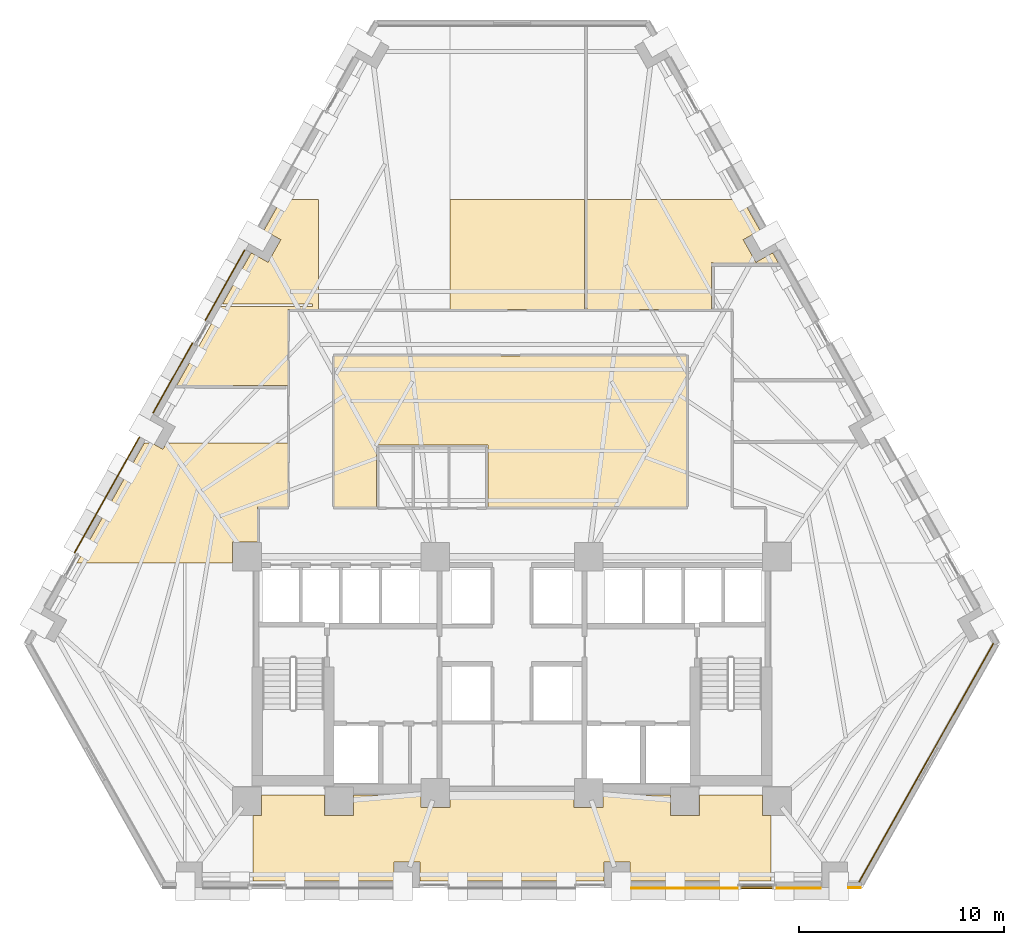
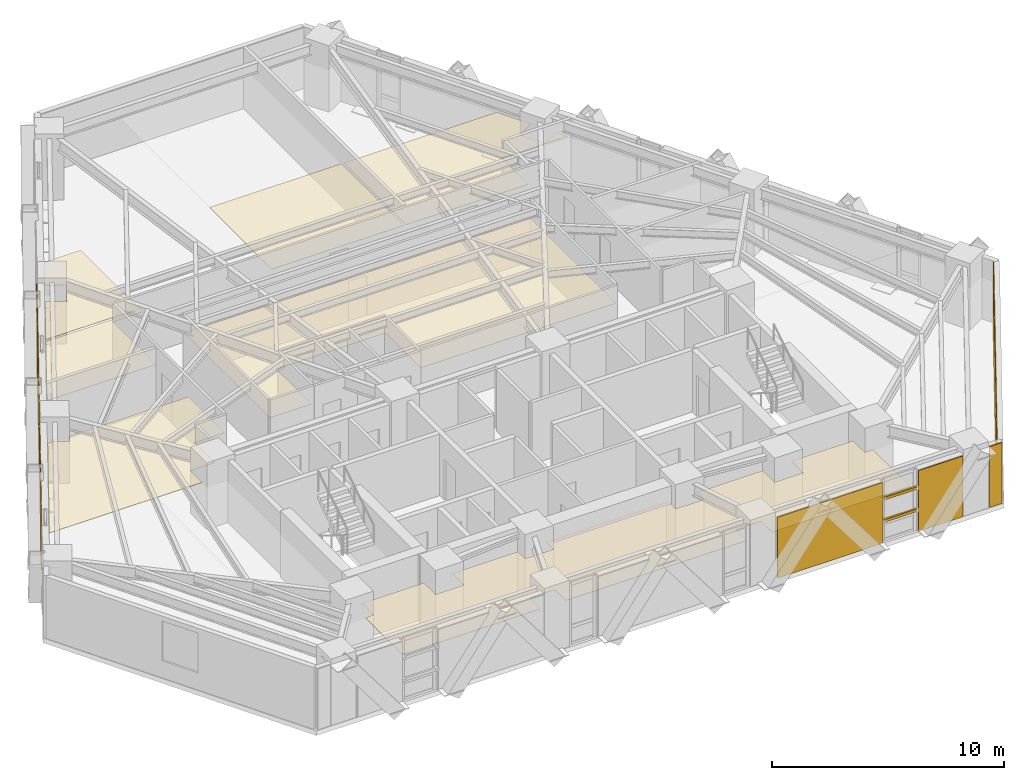
# One storey, part 11 of 13: 13 coverings, 2 shading devices.
"""IFC4 building model written with IfcOpenShell, lengths in metres."""

from ifc_helpers import new_model, si_unit, direction, frame, origin, origin_2d, place, context, subcontext, project, spatial, polyline, rectangle, outline, extrude, material, layer, layer_set, material_profile, profile_set, type_object, element, save


model = new_model("IFC4")

# Units and contexts
model_context = context("Model", 3, precision=1e-05, world=origin(), true_north=direction((0.0, 1.0)))
body_context = subcontext(model_context, "Body", "Model", "MODEL_VIEW")
ifc_project = project(units=[si_unit("LENGTHUNIT", "METRE"), si_unit("AREAUNIT", "SQUARE_METRE"), si_unit("VOLUMEUNIT", "CUBIC_METRE"), si_unit("PLANEANGLEUNIT", "RADIAN"), si_unit("MASSUNIT", "GRAM", prefix="KILO")], contexts=[model_context])

# Site, building, storey
site_placement = place(None, origin())
site = spatial("IfcSite", under=ifc_project, at=site_placement, CompositionType="ELEMENT")
building_placement = place(site_placement, origin())
building = spatial("IfcBuilding", under=site, at=building_placement, Name="Quenlor Broadcast Tower", CompositionType="ELEMENT")
storey_placement = place(building_placement, frame((0.0, 0.0, 45.10009765625)))
storey = spatial("IfcBuildingStorey", under=building, at=storey_placement, Name="L11", CompositionType="ELEMENT", Elevation=45.10009765625)

# Coverings
ifc_material_1 = material(Name="Acoustic Mineral Fibre Board", Category="other")
ifc_layer_1 = layer(ifc_material_1, 0.02490234375)
ifc_layer_set_1 = layer_set([ifc_layer_1], Name="Acoustic Perforated Mineral Tile Ceiling 25")
covering_type_1 = type_object("IfcCoveringType", Name="Acoustic Perforated Mineral Tile Ceiling 25", PredefinedType="CEILING", material=ifc_layer_set_1)
covering_1_placement = place(storey_placement, frame((0.0, 0.0, 2.224853515625)))
element("IfcCovering", 1, at=covering_1_placement, inside=storey, type_object=covering_type_1, Name="L11 Acoustic Ceiling L11-31", PredefinedType="CEILING", context=body_context, shape_type="SweptSolid", body=[
    extrude(outline(polyline([(-3.0400390625, 12.64990234375), (3.5400390625, 12.64990234375), (3.5400390625, 7.280029296875), (-3.0400390625, 7.280029296875), (-3.0400390625, 12.64990234375)])), origin(), (0.0, 0.0, 1.0), 0.025146484375),
])
covering_2_placement = place(storey_placement, frame((0.0, 0.0, 2.224853515625)))
element("IfcCovering", 2, at=covering_2_placement, inside=storey, type_object=covering_type_1, Name="L11 Acoustic Ceiling L11-32", PredefinedType="CEILING", context=body_context, shape_type="SweptSolid", body=[
    extrude(outline(polyline([(12.941162109375, 9.550048828125), (9.860107421875, 9.550048828125), (9.830810546875, 9.552978515625), (9.802490234375, 9.561279296875), (9.776611328125, 9.5751953125), (9.75390625, 9.593994140625), (9.739990234375, 9.6103515625), (9.739990234375, 7.280029296875), (3.659912109375, 7.280029296875), (3.659912109375, 12.64990234375), (11.276611328125, 12.64990234375), (12.122802734375, 11.154541015625), (11.301025390625, 10.6923828125), (11.921630859375, 9.5888671875), (12.74365234375, 10.05126953125), (13.0146484375, 9.5693359375), (12.9990234375, 9.561767578125), (12.970703125, 9.552978515625), (12.941162109375, 9.550048828125)])), origin(), (0.0, 0.0, 1.0), 0.025146484375),
])
covering_3_placement = place(storey_placement, frame((0.0, 0.0, 2.224853515625)))
element("IfcCovering", 3, at=covering_3_placement, inside=storey, type_object=covering_type_1, Name="L11 Acoustic Ceiling L11-33", PredefinedType="CEILING", context=body_context, shape_type="SweptSolid", body=[
    extrude(outline(polyline([(-14.14501953125, 7.56005859375), (-12.74365234375, 10.05126953125), (-11.921630859375, 9.5888671875), (-11.301025390625, 10.6923828125), (-12.122802734375, 11.154541015625), (-11.28173828125, 12.64990234375), (-9.4599609375, 12.64990234375), (-9.4599609375, 7.280029296875), (-10.955078125, 7.280029296875), (-10.955078125, 3.56005859375), (-16.39501953125, 3.56005859375), (-14.21240234375, 7.43994140625), (-9.75, 7.43994140625), (-9.75, 7.56005859375), (-14.14501953125, 7.56005859375)])), origin(), (0.0, 0.0, 1.0), 0.025146484375),
])
covering_4_placement = place(storey_placement, frame((0.0, 0.0, 2.224853515625)))
element("IfcCovering", 4, at=covering_4_placement, inside=storey, type_object=covering_type_1, Name="L11 Acoustic Ceiling L11-37", PredefinedType="CEILING", context=body_context, shape_type="SweptSolid", body=[
    extrude(outline(polyline([(8.544921875, 5.02001953125), (8.544921875, -2.3701171875), (-1.179931640625, -2.3701171875), (-1.179931640625, 0.669921875), (-6.6201171875, 0.669921875), (-6.6201171875, -2.3701171875), (-8.695068359375, -2.3701171875), (-8.695068359375, 5.02001953125), (8.544921875, 5.02001953125)])), origin(), (0.0, 0.0, 1.0), 0.025146484375),
])
covering_5_placement = place(storey_placement, frame((0.0, 0.0, 2.224853515625)))
element("IfcCovering", 5, at=covering_5_placement, inside=storey, type_object=covering_type_1, Name="L11 Acoustic Ceiling L11-38", PredefinedType="CEILING", context=body_context, shape_type="SweptSolid", body=[
    extrude(outline(polyline([(-16.88818359375, 0.759765625), (-10.955078125, 0.759765625), (-10.955078125, -2.3701171875), (-12.43994140625, -2.3701171875), (-12.43994140625, -4.092041015625), (-13.657958984375, -4.092041015625), (-13.657958984375, -5.1201171875), (-15.93994140625, -5.1201171875), (-16.06005859375, -5.1201171875), (-21.27734375, -5.1201171875), (-17.97021484375, 0.759765625), (-17.61376953125, 0.759765625), (-17.0625, 0.44970703125), (-16.88818359375, 0.759765625)])), origin(), (0.0, 0.0, 1.0), 0.025146484375),
])
covering_6_placement = place(storey_placement, frame((0.0, 0.0, 2.224853515625)))
element("IfcCovering", 6, at=covering_6_placement, inside=storey, type_object=covering_type_1, Name="L11 Acoustic Ceiling L11-38-6", PredefinedType="CEILING", context=body_context, shape_type="SweptSolid", body=[
    extrude(outline(polyline([(-12.241943359375, -17.4580078125), (-12.241943359375, -16.449951171875), (-9.157958984375, -16.449951171875), (-9.157958984375, -17.4580078125), (-7.741943359375, -17.4580078125), (-7.741943359375, -16.449951171875), (-4.4580078125, -16.449951171875), (-4.4580078125, -17.05810546875), (-3.0419921875, -17.05810546875), (-3.0419921875, -16.449951171875), (3.0419921875, -16.449951171875), (3.0419921875, -17.05810546875), (4.4580078125, -17.05810546875), (4.4580078125, -16.449951171875), (7.741943359375, -16.449951171875), (7.741943359375, -17.4580078125), (9.157958984375, -17.4580078125), (9.157958984375, -16.449951171875), (12.241943359375, -16.449951171875), (12.241943359375, -17.4580078125), (12.64990234375, -17.4580078125), (12.64990234375, -20.659912109375), (5.773681640625, -20.659912109375), (5.773681640625, -19.717041015625), (4.5078125, -19.717041015625), (4.5078125, -20.659912109375), (-4.5078125, -20.659912109375), (-4.5078125, -19.717041015625), (-5.773681640625, -19.717041015625), (-5.773681640625, -20.659912109375), (-12.64990234375, -20.659912109375), (-12.64990234375, -17.4580078125), (-12.241943359375, -17.4580078125)])), origin(), (0.0, 0.0, 1.0), 0.025146484375),
])

# Shading devices
ifc_material_2 = material(Name="Architectural Terracotta Ceramic", Category="masonry")
ifc_material_profile = material_profile(ifc_material_2, rectangle(XDim=0.090087890625, YDim=0.139892578125, at=origin_2d()))
ifc_profile_set = profile_set([ifc_material_profile], Name="Architectural Terracotta Ceramic BAG90x140")
shading_device_type = type_object("IfcShadingDeviceType", Name="Copper Terracotta Baguette Solar Screen 140", PredefinedType="USERDEFINED", material=ifc_profile_set)
for number, where, z_axis, x_axis, name in (
    (7, (12.794921875, -20.98291015625, 1.169921875), (-1.0, 0.0, 0.0), (0.0, -1.0, 0.0), "L11 Terracotta Baguette Screen 1"),
    (8, (12.794921875, -20.98291015625, 2.33984375), (-1.0, 0.0, 0.0), (0.0, -1.0, 0.0), "L11 Terracotta Baguette Screen 2"),
):
    element("IfcShadingDevice", number, at=place(storey_placement, frame(where, z_axis=z_axis, x_axis=x_axis)), inside=storey, type_object=shading_device_type, Name=name, ObjectType="BAGUETTE", PredefinedType="USERDEFINED", context=body_context, shape_type="SweptSolid", body=[
        extrude(rectangle(XDim=0.090087890625, YDim=0.139892578125, at=origin_2d()), origin(), (0.0, 0.0, 1.0), 1.6484375),
    ])

# Coverings
ifc_material_3 = material(Name="Architectural Terracotta Ceramic", Category="masonry")
ifc_layer_2 = layer(ifc_material_3, 0.044921875)
ifc_layer_set_2 = layer_set([ifc_layer_2], Name="Fluted Terracotta Rainscreen Cladding Panel")
covering_type_2 = type_object("IfcCoveringType", Name="Fluted Terracotta Rainscreen Cladding Panel", PredefinedType="CLADDING", material=ifc_layer_set_2)
covering_7_placement = place(storey_placement, frame((0.0, 0.0, 0.02001953125)))
element("IfcCovering", 9, at=covering_7_placement, inside=storey, type_object=covering_type_2, Name="L11 Terracotta Rainscreen Cladding L11-SHD-SS0", PredefinedType="CLADDING", context=body_context, shape_type="SweptSolid", body=[
    extrude(outline(polyline([(17.0458984375, -20.951904296875), (16.425048828125, -20.951904296875), (16.425048828125, -20.9970703125), (17.0458984375, -20.9970703125), (17.0458984375, -20.951904296875)])), origin(), (0.0, 0.0, 1.0), 3.2099609375),
])
covering_8_placement = place(storey_placement, frame((0.0, 0.0, 0.02001953125)))
element("IfcCovering", 10, at=covering_8_placement, inside=storey, type_object=covering_type_2, Name="L11 Terracotta Rainscreen Cladding L11-SA-SP1", PredefinedType="CLADDING", context=body_context, shape_type="SweptSolid", body=[
    extrude(outline(polyline([(15.085205078125, -20.98193359375), (12.864990234375, -20.98193359375), (12.864990234375, -21.027099609375), (15.085205078125, -21.027099609375), (15.085205078125, -20.98193359375)])), origin(), (0.0, 0.0, 1.0), 3.2099609375),
])
covering_9_placement = place(storey_placement, frame((0.0, 0.0, 0.02001953125)))
element("IfcCovering", 11, at=covering_9_placement, inside=storey, type_object=covering_type_2, Name="L11 Terracotta Rainscreen Cladding L11-SA-SP2", PredefinedType="CLADDING", context=body_context, shape_type="SweptSolid", body=[
    extrude(outline(polyline([(11.07666015625, -20.98193359375), (5.82080078125, -20.98193359375), (5.82080078125, -21.027099609375), (11.07666015625, -21.027099609375), (11.07666015625, -20.98193359375)])), origin(), (0.0, 0.0, 1.0), 3.2099609375),
])
covering_10_placement = place(storey_placement, frame((0.0, 0.0, 0.02001953125)))
element("IfcCovering", 12, at=covering_10_placement, inside=storey, type_object=covering_type_2, Name="L11 Terracotta Rainscreen Cladding L11-NWA-SP2", PredefinedType="CLADDING", context=body_context, shape_type="SweptSolid", body=[
    extrude(outline(polyline([(-21.3671875, -4.622802734375), (-18.18798828125, 1.029052734375), (-18.227294921875, 1.051025390625), (-21.406494140625, -4.6005859375), (-21.3671875, -4.622802734375)])), origin(), (0.0, 0.0, 1.0), 3.2099609375),
])
covering_11_placement = place(storey_placement, frame((0.0, 0.0, 0.02001953125)))
element("IfcCovering", 13, at=covering_11_placement, inside=storey, type_object=covering_type_2, Name="L11 Terracotta Rainscreen Cladding L11-NW-SP1", PredefinedType="CLADDING", context=body_context, shape_type="SweptSolid", body=[
    extrude(outline(polyline([(-17.523681640625, 2.2099609375), (-15.594970703125, 5.638916015625), (-15.63427734375, 5.660888671875), (-17.56298828125, 2.23193359375), (-17.523681640625, 2.2099609375)])), origin(), (0.0, 0.0, 1.0), 3.2099609375),
])
covering_12_placement = place(storey_placement, frame((0.0, 0.0, 0.02001953125)))
element("IfcCovering", 14, at=covering_12_placement, inside=storey, type_object=covering_type_2, Name="L11 Terracotta Rainscreen Cladding L11-NW-SP2", PredefinedType="CLADDING", context=body_context, shape_type="SweptSolid", body=[
    extrude(outline(polyline([(-14.9736328125, 6.74365234375), (-13.044921875, 10.172607421875), (-13.083984375, 10.194580078125), (-15.0126953125, 6.765625), (-14.9736328125, 6.74365234375)])), origin(), (0.0, 0.0, 1.0), 3.2099609375),
])
covering_13_placement = place(storey_placement, frame((0.0, 0.0, 0.02001953125)))
element("IfcCovering", 15, at=covering_13_placement, inside=storey, type_object=covering_type_2, Name="L11 Terracotta Rainscreen Cladding L11-CNR-06", PredefinedType="CLADDING", context=body_context, shape_type="SweptSolid", body=[
    extrude(outline(polyline([(16.98388671875, -20.71533203125), (23.547607421875, -9.046875), (23.50830078125, -9.02490234375), (16.94482421875, -20.693359375), (16.98388671875, -20.71533203125)])), origin(), (0.0, 0.0, 1.0), 3.2099609375),
])

save(model, "model.ifc")
